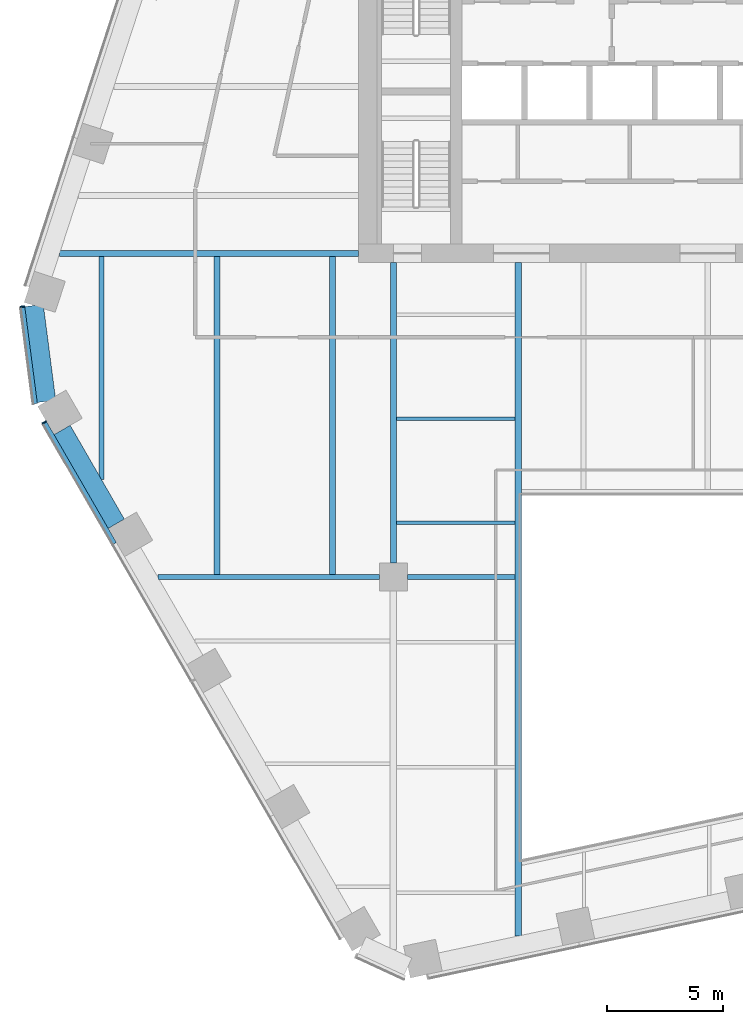
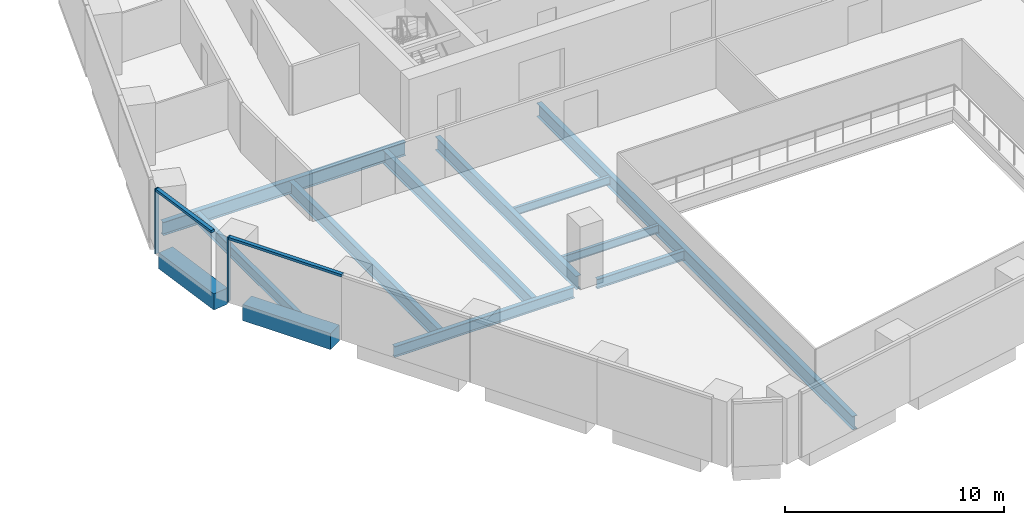
# One storey, part 3 of 16: 12 beams, 4 members, 2 elements without a shape of their own.
"""IFC4 building model written with IfcOpenShell, lengths in metres."""

from ifc_helpers import new_model, si_unit, direction, frame, origin, origin_2d, place, context, subcontext, project, spatial, rectangle, i_section, extrude, material, layer, layer_set, material_profile, profile_set, type_object, element, aggregate, save


model = new_model("IFC4")

# Units and contexts
model_context = context("Model", 3, precision=1e-05, world=origin(), true_north=direction((0.0, 1.0)))
body_context = subcontext(model_context, "Body", "Model", "MODEL_VIEW")
ifc_project = project(units=[si_unit("LENGTHUNIT", "METRE"), si_unit("AREAUNIT", "SQUARE_METRE"), si_unit("VOLUMEUNIT", "CUBIC_METRE"), si_unit("PLANEANGLEUNIT", "RADIAN"), si_unit("MASSUNIT", "GRAM", prefix="KILO")], contexts=[model_context])

# Site, building, storey
site_placement = place(None, origin())
site = spatial("IfcSite", under=ifc_project, at=site_placement, CompositionType="ELEMENT")
building_placement = place(site_placement, origin())
building = spatial("IfcBuilding", under=site, at=building_placement, Name="Isthmus Gate Tower", CompositionType="ELEMENT")
storey_placement = place(building_placement, frame((0.0, 0.0, 137.10009765625)))
storey = spatial("IfcBuildingStorey", under=building, at=storey_placement, Name="L33", CompositionType="ELEMENT", Elevation=137.10009765625)

# Curtain wall, member
ifc_material_1 = material(Name="Aluminium, pale champagne anodised", Category="aluminium")
ifc_layer = layer(ifc_material_1, 0.199951171875)
ifc_layer_set = layer_set([ifc_layer], Name="CW-1 UNITISED CURTAIN WALL 200 DEEP")
curtain_wall_type = type_object("IfcCurtainWallType", Name="CW-1 UNITISED CURTAIN WALL 200 DEEP", PredefinedType="NOTDEFINED", material=ifc_layer_set)
curtain_wall_1_placement = place(storey_placement, origin())
curtain_wall_1 = element("IfcCurtainWall", 1, at=curtain_wall_1_placement, inside=storey, type_object=curtain_wall_type, Name="CW-1 NW-SW L33", PredefinedType="NOTDEFINED")
ifc_material_2 = material(Name="Aluminium, pale champagne anodised", Category="aluminium")
ifc_material_profile_1 = material_profile(ifc_material_2, rectangle(XDim=0.06005859375, YDim=0.199951171875, at=origin_2d()), Name="60x200")
ifc_profile_set_1 = profile_set([ifc_material_profile_1], Name="Aluminium, pale champagne anodised")
member_type_1 = type_object("IfcMemberType", Name="CW-1 MULLION 60 X 200", PredefinedType="MULLION", material=ifc_profile_set_1)
member_1_placement = place(storey_placement, frame((-29.42724609375, -1.88525390625, 0.0), z_axis=(0.0, 0.0, 1.0), x_axis=(0.129164534, -0.991623175988, 0.0)))
member_1 = element("IfcMember", 2, at=member_1_placement, type_object=member_type_1, Name="CW-1 mullion", PredefinedType="MULLION", context=body_context, shape_type="SweptSolid", body=[
    extrude(rectangle(XDim=0.06005859375, YDim=0.199951171875, at=origin_2d()), origin(), (0.0, 0.0, 1.0), 3.64990234375),
])

curtain_wall_2_placement = place(storey_placement, origin())
curtain_wall_2 = element("IfcCurtainWall", 3, at=curtain_wall_2_placement, inside=storey, type_object=curtain_wall_type, Name="CW-1 SW L33", PredefinedType="NOTDEFINED")
member_2_placement = place(storey_placement, frame((-28.489501953125, -6.8544921875, 0.0), z_axis=(0.0, 0.0, 1.0), x_axis=(0.5, -0.866025403784, 0.0)))
member_2 = element("IfcMember", 4, at=member_2_placement, type_object=member_type_1, Name="CW-1 mullion", PredefinedType="MULLION", context=body_context, shape_type="SweptSolid", body=[
    extrude(rectangle(XDim=0.06005859375, YDim=0.199951171875, at=origin_2d()), origin(), (0.0, 0.0, 1.0), 3.64990234375),
])

# Member
ifc_material_3 = material(Name="Aluminium, pale champagne anodised", Category="aluminium")
ifc_material_profile_2 = material_profile(ifc_material_3, rectangle(XDim=0.199951171875, YDim=0.139892578125, at=origin_2d()), Name="200x140")
ifc_profile_set_2 = profile_set([ifc_material_profile_2], Name="Aluminium, pale champagne anodised")
member_type_2 = type_object("IfcMemberType", Name="CW-1 TRANSOM 200 X 140", PredefinedType="USERDEFINED", material=ifc_profile_set_2)
member_3_placement = place(storey_placement, frame((-29.42333984375, -1.9150390625, 3.579833984375), z_axis=(0.129149481977, -0.991625136483, 0.0), x_axis=(0.991625136483, 0.129149481977, 0.0)))
member_3 = element("IfcMember", 5, at=member_3_placement, type_object=member_type_2, Name="CW-1 transom", ObjectType="TRANSOM", PredefinedType="USERDEFINED", context=body_context, shape_type="SweptSolid", body=[
    extrude(rectangle(XDim=0.199951171875, YDim=0.139892578125, at=origin_2d()), origin(), (0.0, 0.0, 1.0), 4.181396484375),
])

aggregate(curtain_wall_1, [member_1, member_3])

member_4_placement = place(storey_placement, frame((-28.474609375, -6.880615234375, 3.579833984375), z_axis=(0.500014106551, -0.86601725921, 0.0), x_axis=(0.86601725921, 0.500014106551, 0.0)))
member_4 = element("IfcMember", 6, at=member_4_placement, type_object=member_type_2, Name="CW-1 transom", ObjectType="TRANSOM", PredefinedType="USERDEFINED", context=body_context, shape_type="SweptSolid", body=[
    extrude(rectangle(XDim=0.199951171875, YDim=0.139892578125, at=origin_2d()), origin(), (0.0, 0.0, 1.0), 5.989990234375),
])

aggregate(curtain_wall_2, [member_2, member_4])

# Beams
ifc_material_4 = material(Name="Concrete f'c 60 MPa", Category="concrete")
ifc_material_profile_3 = material_profile(ifc_material_4, rectangle(XDim=0.800048828125, YDim=0.89990234375, at=origin_2d()), Name="RC 800X900")
ifc_profile_set_3 = profile_set([ifc_material_profile_3], Name="Concrete f'c 60 MPa")
beam_type_1 = type_object("IfcBeamType", Name="RC SPANDREL 800 X 900", PredefinedType="SPANDREL", material=ifc_profile_set_3)
beam_1_placement = place(storey_placement, frame((-25.396484375, -11.2119140625, -0.4501953125), z_axis=(-0.500023913295, 0.866011596997, 0.0), x_axis=(-0.866011596997, -0.500023913295, 0.0)))
element("IfcBeam", 7, at=beam_1_placement, inside=storey, type_object=beam_type_1, Name="str-spandrel-L33-19", PredefinedType="SPANDREL", context=body_context, shape_type="SweptSolid", body=[
    extrude(rectangle(XDim=0.800048828125, YDim=0.89990234375, at=origin_2d()), origin(), (0.0, 0.0, 1.0), 4.650146484375),
])
beam_2_placement = place(storey_placement, frame((-28.392822265625, -5.955810546875, -0.4501953125), z_axis=(-0.129170777359, 0.991622362735, 0.0), x_axis=(-0.991622362735, -0.129170777359, 0.0)))
element("IfcBeam", 8, at=beam_2_placement, inside=storey, type_object=beam_type_1, Name="str-spandrel-L33-20", PredefinedType="SPANDREL", context=body_context, shape_type="SweptSolid", body=[
    extrude(rectangle(XDim=0.800048828125, YDim=0.89990234375, at=origin_2d()), origin(), (0.0, 0.0, 1.0), 4.15234375),
])
ifc_material_5 = material(Name="Structural steel ASTM A992 Gr 50", Category="steel")
ifc_material_profile_4 = material_profile(ifc_material_5, i_section(OverallWidth=0.15234375, OverallDepth=0.45068359375, WebThickness=0.0078125, FlangeThickness=0.010986328125, at=origin_2d()), Name="W18X35")
ifc_profile_set_4 = profile_set([ifc_material_profile_4], Name="Structural steel ASTM A992 Gr 50")
beam_type_2 = type_object("IfcBeamType", Name="STEEL FLOOR BEAM W18X35", PredefinedType="JOIST", material=ifc_profile_set_4)
for number, where, z_axis, x_axis, name in (
    (9, (-13.3681640625, -11.16259765625, -0.37548828125), (1.0, 0.0, 0.0), (0.0, 1.0, 0.0), "str-beam-L33-04-00"),
    (10, (-13.3681640625, -6.697509765625, -0.37548828125), (1.0, 0.0, 0.0), (0.0, 1.0, 0.0), "str-beam-L33-04-01"),
):
    element("IfcBeam", number, at=place(storey_placement, frame(where, z_axis=z_axis, x_axis=x_axis)), inside=storey, type_object=beam_type_2, Name=name, PredefinedType="JOIST", context=body_context, shape_type="SweptSolid", body=[
        extrude(i_section(OverallWidth=0.15234375, OverallDepth=0.45068359375, WebThickness=0.0078125, FlangeThickness=0.010986328125, at=origin_2d()), origin(), (0.0, 0.0, 1.0), 5.1015625),
    ])
ifc_material_6 = material(Name="Structural steel ASTM A992 Gr 50", Category="steel")
ifc_material_profile_5 = material_profile(ifc_material_6, i_section(OverallWidth=0.228515625, OverallDepth=0.603271484375, WebThickness=0.010986328125, FlangeThickness=0.014404296875, at=origin_2d()), Name="W24X68")
ifc_profile_set_5 = profile_set([ifc_material_profile_5], Name="Structural steel ASTM A992 Gr 50")
beam_type_3 = type_object("IfcBeamType", Name="STEEL FLOOR BEAM W24X68", PredefinedType="JOIST", material=ifc_profile_set_5)
beam_3_placement = place(storey_placement, frame((-26.028564453125, -9.317138671875, -0.45166015625), z_axis=(0.0, 1.0, 0.0), x_axis=(-1.0, 0.0, 0.0)))
element("IfcBeam", 11, at=beam_3_placement, inside=storey, type_object=beam_type_3, Name="str-beam-L33-00-00", PredefinedType="JOIST", context=body_context, shape_type="SweptSolid", body=[
    extrude(i_section(OverallWidth=0.228515625, OverallDepth=0.603271484375, WebThickness=0.010986328125, FlangeThickness=0.014404296875, at=origin_2d()), origin(), (0.0, 0.0, 1.0), 9.58544921875),
])
ifc_material_7 = material(Name="Structural steel ASTM A992 Gr 50", Category="steel")
ifc_material_profile_6 = material_profile(ifc_material_7, i_section(OverallWidth=0.263427734375, OverallDepth=0.749267578125, WebThickness=0.0126953125, FlangeThickness=0.015869140625, at=origin_2d()), Name="W30X90")
ifc_profile_set_6 = profile_set([ifc_material_profile_6], Name="Structural steel ASTM A992 Gr 50")
beam_type_4 = type_object("IfcBeamType", Name="STEEL FLOOR BEAM W30X90", PredefinedType="JOIST", material=ifc_profile_set_6)
for number, where, z_axis, x_axis, name in (
    (12, (-21.06982421875, -13.3857421875, -0.524658203125), (0.0, 1.0, 0.0), (-1.0, 0.0, 0.0), "str-beam-L33-00-01"),
    (13, (-16.111083984375, -13.3857421875, -0.524658203125), (0.0, 1.0, 0.0), (-1.0, 0.0, 0.0), "str-beam-L33-00-02"),
):
    element("IfcBeam", number, at=place(storey_placement, frame(where, z_axis=z_axis, x_axis=x_axis)), inside=storey, type_object=beam_type_4, Name=name, PredefinedType="JOIST", context=body_context, shape_type="SweptSolid", body=[
        extrude(i_section(OverallWidth=0.263427734375, OverallDepth=0.749267578125, WebThickness=0.0126953125, FlangeThickness=0.015869140625, at=origin_2d()), origin(), (0.0, 0.0, 1.0), 13.654052734375),
    ])
ifc_material_8 = material(Name="Structural steel ASTM A992 Gr 50", Category="steel")
ifc_material_profile_7 = material_profile(ifc_material_8, i_section(OverallWidth=0.20947265625, OverallDepth=0.533447265625, WebThickness=0.009521484375, FlangeThickness=0.015869140625, at=origin_2d()), Name="W21X62")
ifc_profile_set_7 = profile_set([ifc_material_profile_7], Name="Structural steel ASTM A992 Gr 50")
beam_type_5 = type_object("IfcBeamType", Name="STEEL GIRDER W21X62", PredefinedType="BEAM", material=ifc_profile_set_7)
beam_4_placement = place(storey_placement, frame((-12.89990234375, -13.5, -0.416748046875), z_axis=(1.0, 0.0, 0.0), x_axis=(0.0, 1.0, 0.0)))
element("IfcBeam", 14, at=beam_4_placement, inside=storey, type_object=beam_type_5, Name="str-girder-L33-02", PredefinedType="BEAM", context=body_context, shape_type="SweptSolid", body=[
    extrude(i_section(OverallWidth=0.20947265625, OverallDepth=0.533447265625, WebThickness=0.009521484375, FlangeThickness=0.015869140625, at=origin_2d()), origin(), (0.0, 0.0, 1.0), 4.63330078125),
])
ifc_material_9 = material(Name="Structural steel ASTM A992 Gr 50", Category="steel")
ifc_material_profile_8 = material_profile(ifc_material_9, i_section(OverallWidth=0.228515625, OverallDepth=0.6064453125, WebThickness=0.010986328125, FlangeThickness=0.017578125, at=origin_2d()), Name="W24X76")
ifc_profile_set_8 = profile_set([ifc_material_profile_8], Name="Structural steel ASTM A992 Gr 50")
beam_type_6 = type_object("IfcBeamType", Name="STEEL GIRDER W24X76", PredefinedType="BEAM", material=ifc_profile_set_8)
beam_5_placement = place(storey_placement, frame((-23.613525390625, -13.5, -0.453369140625), z_axis=(1.0, 0.0, 0.0), x_axis=(0.0, 1.0, 0.0)))
element("IfcBeam", 15, at=beam_5_placement, inside=storey, type_object=beam_type_6, Name="str-girder-L33-01", PredefinedType="BEAM", context=body_context, shape_type="SweptSolid", body=[
    extrude(i_section(OverallWidth=0.228515625, OverallDepth=0.6064453125, WebThickness=0.010986328125, FlangeThickness=0.017578125, at=origin_2d()), origin(), (0.0, 0.0, 1.0), 9.513427734375),
])
ifc_material_10 = material(Name="Structural steel ASTM A992 Gr 50", Category="steel")
ifc_material_profile_9 = material_profile(ifc_material_10, i_section(OverallWidth=0.263427734375, OverallDepth=0.749267578125, WebThickness=0.0126953125, FlangeThickness=0.015869140625, at=origin_2d()), Name="W30X90")
ifc_profile_set_9 = profile_set([ifc_material_profile_9], Name="Structural steel ASTM A992 Gr 50")
beam_type_7 = type_object("IfcBeamType", Name="STEEL GIRDER W30X90", PredefinedType="BEAM", material=ifc_profile_set_9)
beam_6_placement = place(storey_placement, frame((-13.5, -12.89990234375, -0.524658203125), z_axis=(0.0, 1.0, 0.0), x_axis=(-1.0, 0.0, 0.0)))
element("IfcBeam", 16, at=beam_6_placement, inside=storey, type_object=beam_type_7, Name="str-girder-L33-08", PredefinedType="BEAM", context=body_context, shape_type="SweptSolid", body=[
    extrude(i_section(OverallWidth=0.263427734375, OverallDepth=0.749267578125, WebThickness=0.0126953125, FlangeThickness=0.015869140625, at=origin_2d()), origin(), (0.0, 0.0, 1.0), 12.89990234375),
])
beam_7_placement = place(storey_placement, frame((-15.0, 0.39990234375, -0.524658203125), z_axis=(-1.0, 0.0, 0.0), x_axis=(0.0, -1.0, 0.0)))
element("IfcBeam", 17, at=beam_7_placement, inside=storey, type_object=beam_type_7, Name="str-girder-L33-13", PredefinedType="BEAM", context=body_context, shape_type="SweptSolid", body=[
    extrude(i_section(OverallWidth=0.263427734375, OverallDepth=0.749267578125, WebThickness=0.0126953125, FlangeThickness=0.015869140625, at=origin_2d()), origin(), (0.0, 0.0, 1.0), 12.826416015625),
])
ifc_material_11 = material(Name="Structural steel ASTM A992 Gr 50", Category="steel")
ifc_material_profile_10 = material_profile(ifc_material_11, i_section(OverallWidth=0.2666015625, OverallDepth=0.7587890625, WebThickness=0.014404296875, FlangeThickness=0.01904296875, at=origin_2d()), Name="W30X108")
ifc_profile_set_10 = profile_set([ifc_material_profile_10], Name="Structural steel ASTM A992 Gr 50")
beam_type_8 = type_object("IfcBeamType", Name="STEEL TRIMMER W30X108", PredefinedType="BEAM", material=ifc_profile_set_10)
beam_8_placement = place(storey_placement, frame((-8.13330078125, 0.0, -0.529541015625), z_axis=(0.0, -1.0, 0.0), x_axis=(1.0, 0.0, 0.0)))
element("IfcBeam", 18, at=beam_8_placement, inside=storey, type_object=beam_type_8, Name="str-trimmer-L33-02", PredefinedType="BEAM", context=body_context, shape_type="SweptSolid", body=[
    extrude(i_section(OverallWidth=0.2666015625, OverallDepth=0.7587890625, WebThickness=0.014404296875, FlangeThickness=0.01904296875, at=origin_2d()), origin(), (0.0, 0.0, 1.0), 28.910888671875),
])

save(model, "model.ifc")
